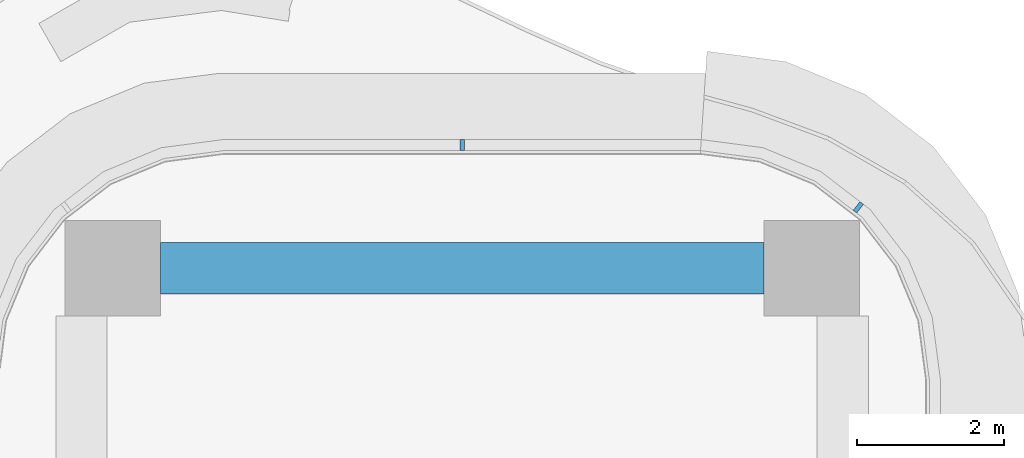
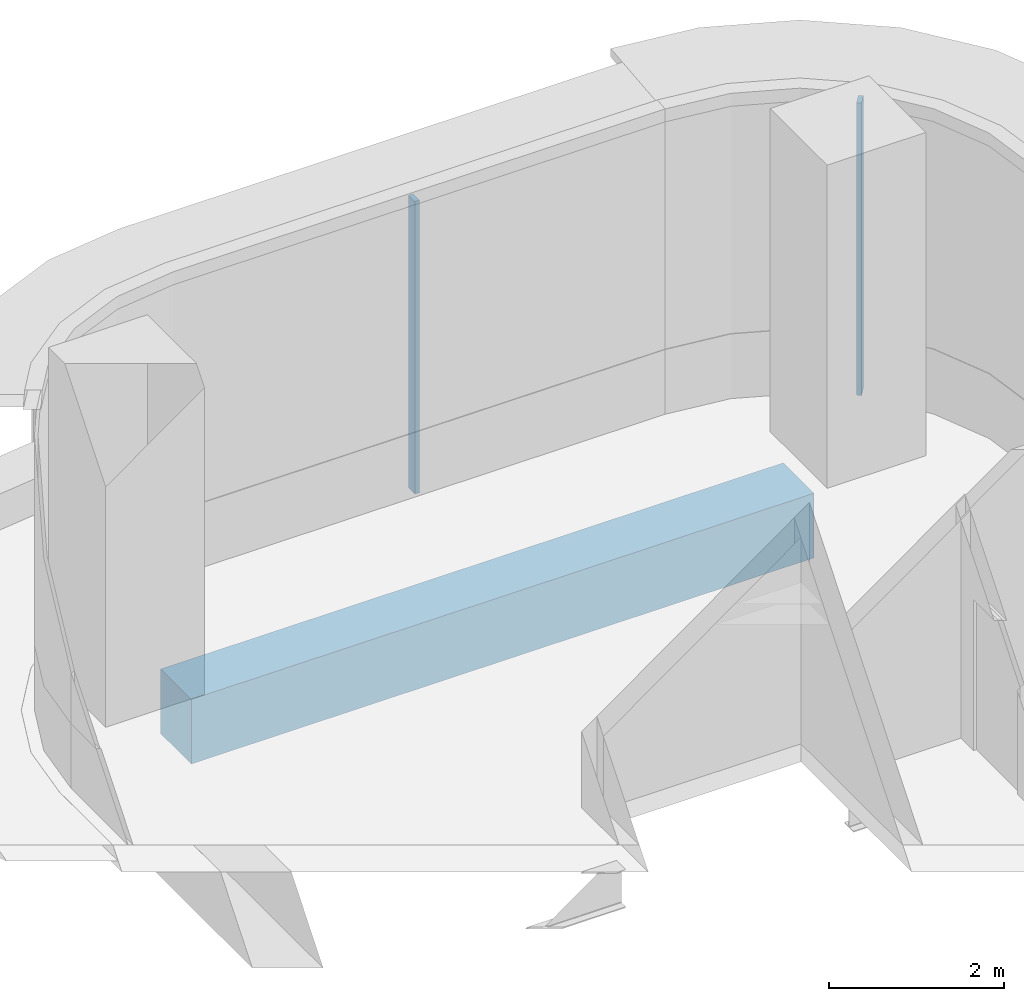
# One storey, part 11 of 21: 2 members, 1 beam, 2 elements without a shape of their own.
"""IFC4 building model written with IfcOpenShell, lengths in metres."""

from ifc_helpers import new_model, si_unit, direction, frame, origin, origin_2d, place, context, subcontext, project, spatial, rectangle, extrude, source, transform, mapped, material, layer, layer_set, material_profile, profile_set, type_object, element, aggregate, save


model = new_model("IFC4")

# Units and contexts
model_context = context("Model", 3, precision=1e-05, world=origin(), true_north=direction((0.0, 1.0)))
body_context = subcontext(model_context, "Body", "Model", "MODEL_VIEW")
ifc_project = project(units=[si_unit("LENGTHUNIT", "METRE"), si_unit("AREAUNIT", "SQUARE_METRE"), si_unit("VOLUMEUNIT", "CUBIC_METRE"), si_unit("PLANEANGLEUNIT", "RADIAN"), si_unit("MASSUNIT", "GRAM", prefix="KILO")], contexts=[model_context])

# Site, building, storey
site_placement = place(None, origin())
site = spatial("IfcSite", under=ifc_project, at=site_placement, CompositionType="ELEMENT")
building_placement = place(site_placement, origin())
building = spatial("IfcBuilding", under=site, at=building_placement, Name="Trellis Farm Tower", CompositionType="ELEMENT")
storey_placement = place(building_placement, frame((0.0, 0.0, 138.0)))
storey = spatial("IfcBuildingStorey", under=building, at=storey_placement, Name="L29", CompositionType="ELEMENT", Elevation=138.0)

# Beam
ifc_material_1 = material(Name="Concrete C60/75", Category="concrete")
ifc_material_profile_1 = material_profile(ifc_material_1, rectangle(XDim=0.699951171875, YDim=0.89990234375, at=origin_2d()), Name="RC spandrel beam 700x900 C60/75")
ifc_profile_set_1 = profile_set([ifc_material_profile_1], Name="Concrete C60/75")
beam_type = type_object("IfcBeamType", Name="RC spandrel beam 700x900 C60/75", PredefinedType="SPANDREL", material=ifc_profile_set_1)
shared_shape_1 = source(origin(), body_context, "Body", "SweptSolid", [
    extrude(rectangle(XDim=0.699951171875, YDim=0.89990234375, at=origin_2d()), origin(), (0.0, 0.0, 1.0), 8.2001953125),
])
beam_placement = place(storey_placement, frame((-4.10009765625, 24.25, -0.699951171875), z_axis=(1.0, 0.0, 0.0), x_axis=(0.0, 1.0, 0.0)))
element("IfcBeam", 1, at=beam_placement, inside=storey, type_object=beam_type, Name="Girder", PredefinedType="SPANDREL", context=body_context, shape_type="MappedRepresentation", body=[
    mapped(shared_shape_1, transform((0.0, 0.0, 0.0))),
])

# Curtain wall, member
ifc_material_2 = material(Name="Aluminium and glass curtain wall", Category="aluminium")
ifc_layer = layer(ifc_material_2, 0.18994140625)
ifc_layer_set = layer_set([ifc_layer], Name="RIBBON CURTAIN WALL CW1")
curtain_wall_type = type_object("IfcCurtainWallType", Name="RIBBON CURTAIN WALL CW1", PredefinedType="NOTDEFINED", material=ifc_layer_set)
placement = place(storey_placement, origin())
curtain_wall_1 = element("IfcCurtainWall", 2, at=placement, inside=storey, type_object=curtain_wall_type, Name="CW1 009", PredefinedType="NOTDEFINED")
ifc_material_3 = material(Name="Aluminium extrusion 6063-T6", Category="aluminium")
ifc_material_profile_2 = material_profile(ifc_material_3, rectangle(XDim=0.06005859375, YDim=0.14990234375, at=origin_2d()), Name="MULLION 60x150")
ifc_profile_set_2 = profile_set([ifc_material_profile_2], Name="Aluminium extrusion 6063-T6")
member_type = type_object("IfcMemberType", Name="CW1 MULLION 60x150", PredefinedType="MULLION", material=ifc_profile_set_2)
shared_shape_2 = source(origin(), body_context, "Body", "SweptSolid", [
    extrude(rectangle(XDim=0.06005859375, YDim=0.14990234375, at=origin_2d()), origin(), (0.0, 0.0, 1.0), 4.070068359375),
])
member_1_placement = place(storey_placement, frame((5.385498046875, 25.078369140625, 0.0), z_axis=(0.0, 0.0, 1.0), x_axis=(-0.793353340291, 0.608761429009, 0.0)))
member_1 = element("IfcMember", 3, at=member_1_placement, type_object=member_type, Name="MU1 009-03", PredefinedType="MULLION", context=body_context, shape_type="MappedRepresentation", body=[
    mapped(shared_shape_2, transform((0.0, 0.0, 0.0))),
])
aggregate(curtain_wall_1, [member_1])

curtain_wall_2 = element("IfcCurtainWall", 4, at=placement, inside=storey, type_object=curtain_wall_type, Name="CW1 010", PredefinedType="NOTDEFINED")
member_2_placement = place(storey_placement, frame((0.0, 25.925048828125, 0.0), z_axis=(0.0, 0.0, 1.0), x_axis=(-1.0, 0.0, 0.0)))
member_2 = element("IfcMember", 5, at=member_2_placement, type_object=member_type, Name="MU1 010-01", PredefinedType="MULLION", context=body_context, shape_type="MappedRepresentation", body=[
    mapped(shared_shape_2, transform((0.0, 0.0, 0.0))),
])
aggregate(curtain_wall_2, [member_2])

save(model, "model.ifc")
